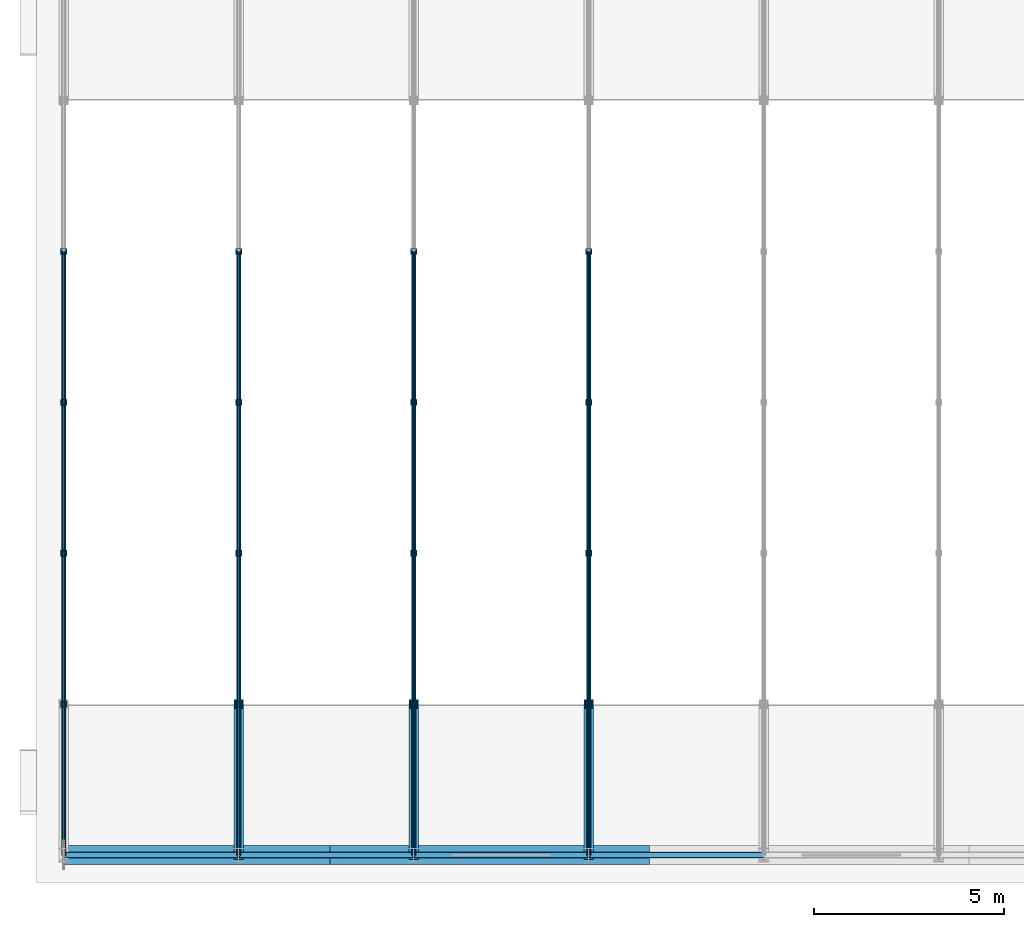
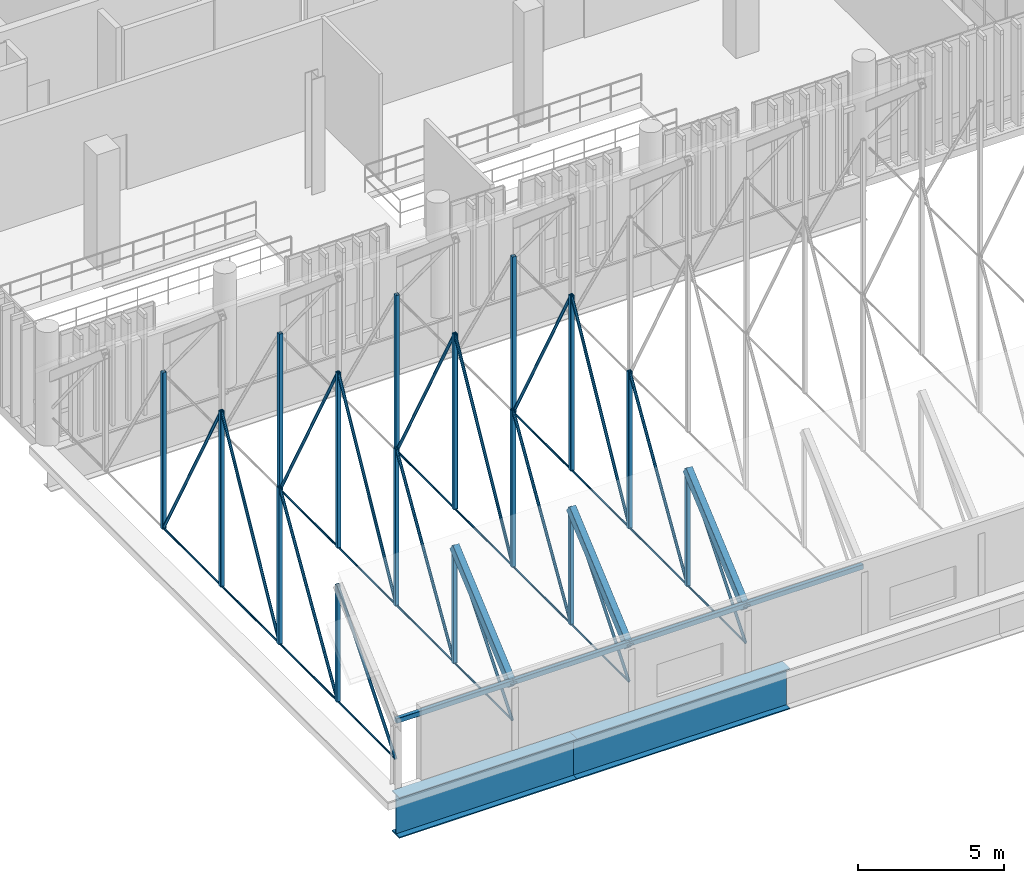
# One storey, part 12 of 109: 52 members, 5 beams.
"""IFC4 building model written with IfcOpenShell, lengths in metres."""

from ifc_helpers import new_model, si_unit, direction, frame, origin_with_axes, origin_2d_with_axis, place, context, subcontext, project, spatial, hollow_rectangle, circle, hollow_circle, i_section, extrude, material, material_profile, profile_set, type_object, element, save


model = new_model("IFC4")

# Units and contexts
model_context = context("Model", 3, precision=1e-05, world=origin_with_axes(), true_north=direction((0.0, 1.0)))
body_context = subcontext(model_context, "Body", "Model", "MODEL_VIEW")
ifc_project = project(units=[si_unit("LENGTHUNIT", "METRE"), si_unit("AREAUNIT", "SQUARE_METRE"), si_unit("VOLUMEUNIT", "CUBIC_METRE"), si_unit("PLANEANGLEUNIT", "RADIAN"), si_unit("MASSUNIT", "GRAM", prefix="KILO"), si_unit("THERMODYNAMICTEMPERATUREUNIT", "KELVIN")], contexts=[model_context])

# Site, building, storey
site_placement = place(None, origin_with_axes())
site = spatial("IfcSite", under=ifc_project, at=site_placement, CompositionType="ELEMENT")
building_placement = place(site_placement, origin_with_axes())
building = spatial("IfcBuilding", under=site, at=building_placement, Name="Montbau Bow Law Courts", CompositionType="ELEMENT")
storey_placement = place(building_placement, frame((0.0, 0.0, 10.8), z_axis=(0.0, 0.0, 1.0), x_axis=(1.0, 0.0, 0.0)))
storey = spatial("IfcBuildingStorey", under=building, at=storey_placement, Name="L02", CompositionType="ELEMENT", Elevation=10.8)

# Beams
ifc_material = material(Name="Steel CSA G40.21 Grade 350WT (350 MPa)", Category="steel")
ifc_material_profile_1 = material_profile(ifc_material, hollow_rectangle(XDim=0.254, YDim=0.356, WallThickness=0.0127, InnerFilletRadius=0.0254, OuterFilletRadius=0.0127, at=origin_2d_with_axis()), Name="HSS356X254X13", Category="Main", Priority=0)
ifc_profile_set_1 = profile_set([ifc_material_profile_1], Name="Steel CSA G40.21 Grade 350WT (350 MPa)")
beam_type_1 = type_object("IfcBeamType", Name="B-ARC-01", PredefinedType="USERDEFINED", material=ifc_profile_set_1)
for number, where, z_axis, x_axis, name in (
    (1, (11.4, 6.8, 13.429), (0.0, 0.758621798, 0.651531249), (-1.0, 0.0, 0.0), "Barrel vault roof truss arch rib V1-007"),
    (2, (16.0, 6.8, 13.429), (0.0, 0.758621798, 0.651531249), (-1.0, 0.0, 0.0), "Barrel vault roof truss arch rib V1-013"),
    (3, (20.6, 6.8, 13.429), (0.0, 0.758621798, 0.651531249), (-1.0, 0.0, 0.0), "Barrel vault roof truss arch rib V1-019"),
):
    element("IfcBeam", number, at=place(None, frame(where, z_axis=z_axis, x_axis=x_axis)), inside=storey, type_object=beam_type_1, Name=name, ObjectType="ARCH_RIB", PredefinedType="USERDEFINED", context=body_context, shape_type="SweptSolid", body=[
        extrude(hollow_rectangle(XDim=0.254, YDim=0.356, WallThickness=0.0127, InnerFilletRadius=0.0254, OuterFilletRadius=0.0127, at=origin_2d_with_axis()), origin_with_axes(), (0.0, 0.0, 1.0), 5.22922),
    ])
ifc_material_profile_2 = material_profile(ifc_material, i_section(OverallWidth=0.5, OverallDepth=1.7, WebThickness=0.02, FlangeThickness=0.045, at=origin_2d_with_axis()), Name="WWF1700X480", Category="Main", Priority=0)
ifc_profile_set_2 = profile_set([ifc_material_profile_2], Name="Steel CSA G40.21 Grade 350WT (350 MPa)")
beam_type_2 = type_object("IfcBeamType", Name="B-TRG-02", PredefinedType="USERDEFINED", material=ifc_profile_set_2)
beam_1_placement = place(None, frame((6.8, 6.8, 9.66), z_axis=(1.0, 0.0, 0.0), x_axis=(0.0, 1.0, 0.0)))
element("IfcBeam", 4, at=beam_1_placement, inside=storey, type_object=beam_type_2, Name="VRG-L02-S0001:bm2_0004", ObjectType="GIRDER", PredefinedType="USERDEFINED", context=body_context, shape_type="SweptSolid", body=[
    extrude(i_section(OverallWidth=0.5, OverallDepth=1.7, WebThickness=0.02, FlangeThickness=0.045, at=origin_2d_with_axis()), origin_with_axes(), (0.0, 0.0, 1.0), 7.0),
])
beam_2_placement = place(None, frame((13.8, 6.8, 9.66), z_axis=(1.0, 0.0, 0.0), x_axis=(0.0, 1.0, 0.0)))
element("IfcBeam", 5, at=beam_2_placement, inside=storey, type_object=beam_type_2, Name="VRG-L02-S0002:bm2_0005", ObjectType="GIRDER", PredefinedType="USERDEFINED", context=body_context, shape_type="SweptSolid", body=[
    extrude(i_section(OverallWidth=0.5, OverallDepth=1.7, WebThickness=0.02, FlangeThickness=0.045, at=origin_2d_with_axis()), origin_with_axes(), (0.0, 0.0, 1.0), 8.4),
])

# Members
ifc_material_profile_3 = material_profile(ifc_material, hollow_rectangle(XDim=0.152, YDim=0.203, WallThickness=0.0095, InnerFilletRadius=0.019, OuterFilletRadius=0.0095, at=origin_2d_with_axis()), Name="HSS203X152X9.5", Category="Main", Priority=0)
ifc_profile_set_3 = profile_set([ifc_material_profile_3], Name="Steel CSA G40.21 Grade 350WT (350 MPa)")
member_type_1 = type_object("IfcMemberType", Name="M-PUR-01", PredefinedType="PURLIN", material=ifc_profile_set_3)
for number, where, z_axis, x_axis, name in (
    (6, (6.8, 6.8, 13.587), (1.0, 0.0, 0.0), (0.0, 1.0, 0.0), "Barrel vault roof truss purlin V1-001"),
    (7, (11.4, 6.8, 13.587), (1.0, 0.0, 0.0), (0.0, 1.0, 0.0), "Barrel vault roof truss purlin V1-008"),
    (8, (16.0, 6.8, 13.587), (1.0, 0.0, 0.0), (0.0, 1.0, 0.0), "Barrel vault roof truss purlin V1-015"),
    (9, (20.6, 6.8, 13.587), (1.0, 0.0, 0.0), (0.0, 1.0, 0.0), "Barrel vault roof truss purlin V1-022"),
):
    element("IfcMember", number, at=place(None, frame(where, z_axis=z_axis, x_axis=x_axis)), inside=storey, type_object=member_type_1, Name=name, PredefinedType="PURLIN", context=body_context, shape_type="SweptSolid", body=[
        extrude(hollow_rectangle(XDim=0.152, YDim=0.203, WallThickness=0.0095, InnerFilletRadius=0.019, OuterFilletRadius=0.0095, at=origin_2d_with_axis()), origin_with_axes(), (0.0, 0.0, 1.0), 4.6),
    ])
ifc_material_profile_4 = material_profile(ifc_material, hollow_rectangle(XDim=0.152, YDim=0.152, WallThickness=0.0095, InnerFilletRadius=0.019, OuterFilletRadius=0.0095, at=origin_2d_with_axis()), Name="HSS152X152X9.5", Category="Main", Priority=0)
ifc_profile_set_4 = profile_set([ifc_material_profile_4], Name="Steel CSA G40.21 Grade 350WT (350 MPa)")
member_type_2 = type_object("IfcMemberType", Name="M-STR-02", PredefinedType="STRUT", material=ifc_profile_set_4)
member_1_placement = place(None, frame((6.8, 10.767, 11.979), z_axis=(0.0, 0.0, 1.0), x_axis=(1.0, 0.0, 0.0)))
element("IfcMember", 10, at=member_1_placement, inside=storey, type_object=member_type_2, Name="Barrel vault roof truss web post V1-01-1", PredefinedType="STRUT", context=body_context, shape_type="SweptSolid", body=[
    extrude(hollow_rectangle(XDim=0.152, YDim=0.152, WallThickness=0.0095, InnerFilletRadius=0.019, OuterFilletRadius=0.0095, at=origin_2d_with_axis()), origin_with_axes(), (0.0, 0.0, 1.0), 4.857),
])
member_2_placement = place(None, frame((6.8, 14.733, 11.979), z_axis=(0.0, 0.0, 1.0), x_axis=(1.0, 0.0, 0.0)))
element("IfcMember", 11, at=member_2_placement, inside=storey, type_object=member_type_2, Name="Barrel vault roof truss web post V1-01-2", PredefinedType="STRUT", context=body_context, shape_type="SweptSolid", body=[
    extrude(hollow_rectangle(XDim=0.152, YDim=0.152, WallThickness=0.0095, InnerFilletRadius=0.019, OuterFilletRadius=0.0095, at=origin_2d_with_axis()), origin_with_axes(), (0.0, 0.0, 1.0), 6.532),
])
member_3_placement = place(None, frame((6.8, 18.7, 11.979), z_axis=(0.0, 0.0, 1.0), x_axis=(1.0, 0.0, 0.0)))
element("IfcMember", 12, at=member_3_placement, inside=storey, type_object=member_type_2, Name="Barrel vault roof truss web post V1-01-3", PredefinedType="STRUT", context=body_context, shape_type="SweptSolid", body=[
    extrude(hollow_rectangle(XDim=0.152, YDim=0.152, WallThickness=0.0095, InnerFilletRadius=0.019, OuterFilletRadius=0.0095, at=origin_2d_with_axis()), origin_with_axes(), (0.0, 0.0, 1.0), 7.306),
])
member_4_placement = place(None, frame((6.8, 22.667, 11.979), z_axis=(0.0, 0.0, 1.0), x_axis=(1.0, 0.0, 0.0)))
element("IfcMember", 13, at=member_4_placement, inside=storey, type_object=member_type_2, Name="Barrel vault roof truss web post V1-01-4", PredefinedType="STRUT", context=body_context, shape_type="SweptSolid", body=[
    extrude(hollow_rectangle(XDim=0.152, YDim=0.152, WallThickness=0.0095, InnerFilletRadius=0.019, OuterFilletRadius=0.0095, at=origin_2d_with_axis()), origin_with_axes(), (0.0, 0.0, 1.0), 6.532),
])
member_5_placement = place(None, frame((11.4, 10.767, 11.979), z_axis=(0.0, 0.0, 1.0), x_axis=(1.0, 0.0, 0.0)))
element("IfcMember", 14, at=member_5_placement, inside=storey, type_object=member_type_2, Name="Barrel vault roof truss web post V1-02-1", PredefinedType="STRUT", context=body_context, shape_type="SweptSolid", body=[
    extrude(hollow_rectangle(XDim=0.152, YDim=0.152, WallThickness=0.0095, InnerFilletRadius=0.019, OuterFilletRadius=0.0095, at=origin_2d_with_axis()), origin_with_axes(), (0.0, 0.0, 1.0), 4.857),
])
member_6_placement = place(None, frame((11.4, 14.733, 11.979), z_axis=(0.0, 0.0, 1.0), x_axis=(1.0, 0.0, 0.0)))
element("IfcMember", 15, at=member_6_placement, inside=storey, type_object=member_type_2, Name="Barrel vault roof truss web post V1-02-2", PredefinedType="STRUT", context=body_context, shape_type="SweptSolid", body=[
    extrude(hollow_rectangle(XDim=0.152, YDim=0.152, WallThickness=0.0095, InnerFilletRadius=0.019, OuterFilletRadius=0.0095, at=origin_2d_with_axis()), origin_with_axes(), (0.0, 0.0, 1.0), 6.532),
])
member_7_placement = place(None, frame((11.4, 18.7, 11.979), z_axis=(0.0, 0.0, 1.0), x_axis=(1.0, 0.0, 0.0)))
element("IfcMember", 16, at=member_7_placement, inside=storey, type_object=member_type_2, Name="Barrel vault roof truss web post V1-02-3", PredefinedType="STRUT", context=body_context, shape_type="SweptSolid", body=[
    extrude(hollow_rectangle(XDim=0.152, YDim=0.152, WallThickness=0.0095, InnerFilletRadius=0.019, OuterFilletRadius=0.0095, at=origin_2d_with_axis()), origin_with_axes(), (0.0, 0.0, 1.0), 7.306),
])
member_8_placement = place(None, frame((11.4, 22.667, 11.979), z_axis=(0.0, 0.0, 1.0), x_axis=(1.0, 0.0, 0.0)))
element("IfcMember", 17, at=member_8_placement, inside=storey, type_object=member_type_2, Name="Barrel vault roof truss web post V1-02-4", PredefinedType="STRUT", context=body_context, shape_type="SweptSolid", body=[
    extrude(hollow_rectangle(XDim=0.152, YDim=0.152, WallThickness=0.0095, InnerFilletRadius=0.019, OuterFilletRadius=0.0095, at=origin_2d_with_axis()), origin_with_axes(), (0.0, 0.0, 1.0), 6.532),
])
member_9_placement = place(None, frame((16.0, 10.767, 11.979), z_axis=(0.0, 0.0, 1.0), x_axis=(1.0, 0.0, 0.0)))
element("IfcMember", 18, at=member_9_placement, inside=storey, type_object=member_type_2, Name="Barrel vault roof truss web post V1-03-1", PredefinedType="STRUT", context=body_context, shape_type="SweptSolid", body=[
    extrude(hollow_rectangle(XDim=0.152, YDim=0.152, WallThickness=0.0095, InnerFilletRadius=0.019, OuterFilletRadius=0.0095, at=origin_2d_with_axis()), origin_with_axes(), (0.0, 0.0, 1.0), 4.857),
])
member_10_placement = place(None, frame((16.0, 14.733, 11.979), z_axis=(0.0, 0.0, 1.0), x_axis=(1.0, 0.0, 0.0)))
element("IfcMember", 19, at=member_10_placement, inside=storey, type_object=member_type_2, Name="Barrel vault roof truss web post V1-03-2", PredefinedType="STRUT", context=body_context, shape_type="SweptSolid", body=[
    extrude(hollow_rectangle(XDim=0.152, YDim=0.152, WallThickness=0.0095, InnerFilletRadius=0.019, OuterFilletRadius=0.0095, at=origin_2d_with_axis()), origin_with_axes(), (0.0, 0.0, 1.0), 6.532),
])
member_11_placement = place(None, frame((16.0, 18.7, 11.979), z_axis=(0.0, 0.0, 1.0), x_axis=(1.0, 0.0, 0.0)))
element("IfcMember", 20, at=member_11_placement, inside=storey, type_object=member_type_2, Name="Barrel vault roof truss web post V1-03-3", PredefinedType="STRUT", context=body_context, shape_type="SweptSolid", body=[
    extrude(hollow_rectangle(XDim=0.152, YDim=0.152, WallThickness=0.0095, InnerFilletRadius=0.019, OuterFilletRadius=0.0095, at=origin_2d_with_axis()), origin_with_axes(), (0.0, 0.0, 1.0), 7.306),
])
member_12_placement = place(None, frame((16.0, 22.667, 11.979), z_axis=(0.0, 0.0, 1.0), x_axis=(1.0, 0.0, 0.0)))
element("IfcMember", 21, at=member_12_placement, inside=storey, type_object=member_type_2, Name="Barrel vault roof truss web post V1-03-4", PredefinedType="STRUT", context=body_context, shape_type="SweptSolid", body=[
    extrude(hollow_rectangle(XDim=0.152, YDim=0.152, WallThickness=0.0095, InnerFilletRadius=0.019, OuterFilletRadius=0.0095, at=origin_2d_with_axis()), origin_with_axes(), (0.0, 0.0, 1.0), 6.532),
])
member_13_placement = place(None, frame((20.6, 10.767, 11.979), z_axis=(0.0, 0.0, 1.0), x_axis=(1.0, 0.0, 0.0)))
element("IfcMember", 22, at=member_13_placement, inside=storey, type_object=member_type_2, Name="Barrel vault roof truss web post V1-04-1", PredefinedType="STRUT", context=body_context, shape_type="SweptSolid", body=[
    extrude(hollow_rectangle(XDim=0.152, YDim=0.152, WallThickness=0.0095, InnerFilletRadius=0.019, OuterFilletRadius=0.0095, at=origin_2d_with_axis()), origin_with_axes(), (0.0, 0.0, 1.0), 4.857),
])
member_14_placement = place(None, frame((20.6, 14.733, 11.979), z_axis=(0.0, 0.0, 1.0), x_axis=(1.0, 0.0, 0.0)))
element("IfcMember", 23, at=member_14_placement, inside=storey, type_object=member_type_2, Name="Barrel vault roof truss web post V1-04-2", PredefinedType="STRUT", context=body_context, shape_type="SweptSolid", body=[
    extrude(hollow_rectangle(XDim=0.152, YDim=0.152, WallThickness=0.0095, InnerFilletRadius=0.019, OuterFilletRadius=0.0095, at=origin_2d_with_axis()), origin_with_axes(), (0.0, 0.0, 1.0), 6.532),
])
member_15_placement = place(None, frame((20.6, 18.7, 11.979), z_axis=(0.0, 0.0, 1.0), x_axis=(1.0, 0.0, 0.0)))
element("IfcMember", 24, at=member_15_placement, inside=storey, type_object=member_type_2, Name="Barrel vault roof truss web post V1-04-3", PredefinedType="STRUT", context=body_context, shape_type="SweptSolid", body=[
    extrude(hollow_rectangle(XDim=0.152, YDim=0.152, WallThickness=0.0095, InnerFilletRadius=0.019, OuterFilletRadius=0.0095, at=origin_2d_with_axis()), origin_with_axes(), (0.0, 0.0, 1.0), 7.306),
])
member_16_placement = place(None, frame((20.6, 22.667, 11.979), z_axis=(0.0, 0.0, 1.0), x_axis=(1.0, 0.0, 0.0)))
element("IfcMember", 25, at=member_16_placement, inside=storey, type_object=member_type_2, Name="Barrel vault roof truss web post V1-04-4", PredefinedType="STRUT", context=body_context, shape_type="SweptSolid", body=[
    extrude(hollow_rectangle(XDim=0.152, YDim=0.152, WallThickness=0.0095, InnerFilletRadius=0.019, OuterFilletRadius=0.0095, at=origin_2d_with_axis()), origin_with_axes(), (0.0, 0.0, 1.0), 6.532),
])
ifc_material_profile_5 = material_profile(ifc_material, hollow_circle(Radius=0.057, WallThickness=0.008, at=origin_2d_with_axis()), Name="HSS114X8.0", Category="Main", Priority=0)
ifc_profile_set_5 = profile_set([ifc_material_profile_5], Name="Steel CSA G40.21 Grade 350WT (350 MPa)")
member_type_3 = type_object("IfcMemberType", Name="M-STR-03", PredefinedType="STRUT", material=ifc_profile_set_5)
member_17_placement = place(None, frame((6.8, 6.8, 11.979), z_axis=(0.0, 0.632577617, 0.774496971), x_axis=(-1.0, 0.0, 0.0)))
element("IfcMember", 26, at=member_17_placement, inside=storey, type_object=member_type_3, Name="Barrel vault roof truss web diagonal V1-01-1", PredefinedType="STRUT", context=body_context, shape_type="SweptSolid", body=[
    extrude(hollow_circle(Radius=0.057, WallThickness=0.008, at=origin_2d_with_axis()), origin_with_axes(), (0.0, 0.0, 1.0), 6.271167),
])
member_18_placement = place(None, frame((6.8, 10.767, 11.979), z_axis=(0.0, 0.518991793, 0.854779222), x_axis=(-1.0, 0.0, 0.0)))
element("IfcMember", 27, at=member_18_placement, inside=storey, type_object=member_type_3, Name="Barrel vault roof truss web diagonal V1-01-2", PredefinedType="STRUT", context=body_context, shape_type="SweptSolid", body=[
    extrude(hollow_circle(Radius=0.057, WallThickness=0.008, at=origin_2d_with_axis()), origin_with_axes(), (0.0, 0.0, 1.0), 7.641739),
])
for number, where, z_axis, x_axis, name in (
    (28, (6.8, 14.733, 11.979), (0.0, 0.47717415, 0.878808757), (-1.0, 0.0, 0.0), "Barrel vault roof truss web diagonal V1-01-3"),
    (29, (6.8, 18.7, 19.285), (0.0, 0.47717415, -0.878808757), (-1.0, 0.0, 0.0), "Barrel vault roof truss web diagonal V1-01-4"),
):
    element("IfcMember", number, at=place(None, frame(where, z_axis=z_axis, x_axis=x_axis)), inside=storey, type_object=member_type_3, Name=name, PredefinedType="STRUT", context=body_context, shape_type="SweptSolid", body=[
        extrude(hollow_circle(Radius=0.057, WallThickness=0.008, at=origin_2d_with_axis()), origin_with_axes(), (0.0, 0.0, 1.0), 8.313527),
    ])
member_19_placement = place(None, frame((11.4, 6.8, 11.979), z_axis=(0.0, 0.632577617, 0.774496971), x_axis=(-1.0, 0.0, 0.0)))
element("IfcMember", 30, at=member_19_placement, inside=storey, type_object=member_type_3, Name="Barrel vault roof truss web diagonal V1-02-1", PredefinedType="STRUT", context=body_context, shape_type="SweptSolid", body=[
    extrude(hollow_circle(Radius=0.057, WallThickness=0.008, at=origin_2d_with_axis()), origin_with_axes(), (0.0, 0.0, 1.0), 6.271167),
])
member_20_placement = place(None, frame((11.4, 10.767, 11.979), z_axis=(0.0, 0.518991793, 0.854779222), x_axis=(-1.0, 0.0, 0.0)))
element("IfcMember", 31, at=member_20_placement, inside=storey, type_object=member_type_3, Name="Barrel vault roof truss web diagonal V1-02-2", PredefinedType="STRUT", context=body_context, shape_type="SweptSolid", body=[
    extrude(hollow_circle(Radius=0.057, WallThickness=0.008, at=origin_2d_with_axis()), origin_with_axes(), (0.0, 0.0, 1.0), 7.641739),
])
for number, where, z_axis, x_axis, name in (
    (32, (11.4, 14.733, 11.979), (0.0, 0.47717415, 0.878808757), (-1.0, 0.0, 0.0), "Barrel vault roof truss web diagonal V1-02-3"),
    (33, (11.4, 18.7, 19.285), (0.0, 0.47717415, -0.878808757), (-1.0, 0.0, 0.0), "Barrel vault roof truss web diagonal V1-02-4"),
):
    element("IfcMember", number, at=place(None, frame(where, z_axis=z_axis, x_axis=x_axis)), inside=storey, type_object=member_type_3, Name=name, PredefinedType="STRUT", context=body_context, shape_type="SweptSolid", body=[
        extrude(hollow_circle(Radius=0.057, WallThickness=0.008, at=origin_2d_with_axis()), origin_with_axes(), (0.0, 0.0, 1.0), 8.313527),
    ])
member_21_placement = place(None, frame((16.0, 6.8, 11.979), z_axis=(0.0, 0.632577617, 0.774496971), x_axis=(-1.0, 0.0, 0.0)))
element("IfcMember", 34, at=member_21_placement, inside=storey, type_object=member_type_3, Name="Barrel vault roof truss web diagonal V1-03-1", PredefinedType="STRUT", context=body_context, shape_type="SweptSolid", body=[
    extrude(hollow_circle(Radius=0.057, WallThickness=0.008, at=origin_2d_with_axis()), origin_with_axes(), (0.0, 0.0, 1.0), 6.271167),
])
member_22_placement = place(None, frame((16.0, 10.767, 11.979), z_axis=(0.0, 0.518991793, 0.854779222), x_axis=(-1.0, 0.0, 0.0)))
element("IfcMember", 35, at=member_22_placement, inside=storey, type_object=member_type_3, Name="Barrel vault roof truss web diagonal V1-03-2", PredefinedType="STRUT", context=body_context, shape_type="SweptSolid", body=[
    extrude(hollow_circle(Radius=0.057, WallThickness=0.008, at=origin_2d_with_axis()), origin_with_axes(), (0.0, 0.0, 1.0), 7.641739),
])
for number, where, z_axis, x_axis, name in (
    (36, (16.0, 14.733, 11.979), (0.0, 0.47717415, 0.878808757), (-1.0, 0.0, 0.0), "Barrel vault roof truss web diagonal V1-03-3"),
    (37, (16.0, 18.7, 19.285), (0.0, 0.47717415, -0.878808757), (-1.0, 0.0, 0.0), "Barrel vault roof truss web diagonal V1-03-4"),
):
    element("IfcMember", number, at=place(None, frame(where, z_axis=z_axis, x_axis=x_axis)), inside=storey, type_object=member_type_3, Name=name, PredefinedType="STRUT", context=body_context, shape_type="SweptSolid", body=[
        extrude(hollow_circle(Radius=0.057, WallThickness=0.008, at=origin_2d_with_axis()), origin_with_axes(), (0.0, 0.0, 1.0), 8.313527),
    ])
member_23_placement = place(None, frame((20.6, 6.8, 11.979), z_axis=(0.0, 0.632577617, 0.774496971), x_axis=(-1.0, 0.0, 0.0)))
element("IfcMember", 38, at=member_23_placement, inside=storey, type_object=member_type_3, Name="Barrel vault roof truss web diagonal V1-04-1", PredefinedType="STRUT", context=body_context, shape_type="SweptSolid", body=[
    extrude(hollow_circle(Radius=0.057, WallThickness=0.008, at=origin_2d_with_axis()), origin_with_axes(), (0.0, 0.0, 1.0), 6.271167),
])
member_24_placement = place(None, frame((20.6, 10.767, 11.979), z_axis=(0.0, 0.518991793, 0.854779222), x_axis=(-1.0, 0.0, 0.0)))
element("IfcMember", 39, at=member_24_placement, inside=storey, type_object=member_type_3, Name="Barrel vault roof truss web diagonal V1-04-2", PredefinedType="STRUT", context=body_context, shape_type="SweptSolid", body=[
    extrude(hollow_circle(Radius=0.057, WallThickness=0.008, at=origin_2d_with_axis()), origin_with_axes(), (0.0, 0.0, 1.0), 7.641739),
])
for number, where, z_axis, x_axis, name in (
    (40, (20.6, 14.733, 11.979), (0.0, 0.47717415, 0.878808757), (-1.0, 0.0, 0.0), "Barrel vault roof truss web diagonal V1-04-3"),
    (41, (20.6, 18.7, 19.285), (0.0, 0.47717415, -0.878808757), (-1.0, 0.0, 0.0), "Barrel vault roof truss web diagonal V1-04-4"),
):
    element("IfcMember", number, at=place(None, frame(where, z_axis=z_axis, x_axis=x_axis)), inside=storey, type_object=member_type_3, Name=name, PredefinedType="STRUT", context=body_context, shape_type="SweptSolid", body=[
        extrude(hollow_circle(Radius=0.057, WallThickness=0.008, at=origin_2d_with_axis()), origin_with_axes(), (0.0, 0.0, 1.0), 8.313527),
    ])
ifc_material_profile_6 = material_profile(ifc_material, circle(Radius=0.038, at=origin_2d_with_axis()), Name="ROD76", Category="Main", Priority=0)
ifc_profile_set_6 = profile_set([ifc_material_profile_6], Name="Steel CSA G40.21 Grade 350WT (350 MPa)")
member_type_4 = type_object("IfcMemberType", Name="M-TIE-01", PredefinedType="USERDEFINED", material=ifc_profile_set_6)
member_25_placement = place(None, frame((6.8, 6.8, 11.979), z_axis=(0.0, 1.0, 0.0), x_axis=(-1.0, 0.0, 0.0)))
element("IfcMember", 42, at=member_25_placement, inside=storey, type_object=member_type_4, Name="Barrel vault roof truss tie V1-001", ObjectType="TIEBAR", PredefinedType="USERDEFINED", context=body_context, shape_type="SweptSolid", body=[
    extrude(circle(Radius=0.038, at=origin_2d_with_axis()), origin_with_axes(), (0.0, 0.0, 1.0), 3.967),
])
member_26_placement = place(None, frame((6.8, 10.767, 11.979), z_axis=(0.0, 1.0, 0.0), x_axis=(-1.0, 0.0, 0.0)))
element("IfcMember", 43, at=member_26_placement, inside=storey, type_object=member_type_4, Name="Barrel vault roof truss tie V1-002", ObjectType="TIEBAR", PredefinedType="USERDEFINED", context=body_context, shape_type="SweptSolid", body=[
    extrude(circle(Radius=0.038, at=origin_2d_with_axis()), origin_with_axes(), (0.0, 0.0, 1.0), 3.966),
])
for number, where, z_axis, x_axis, name in (
    (44, (6.8, 14.733, 11.979), (0.0, 1.0, 0.0), (-1.0, 0.0, 0.0), "Barrel vault roof truss tie V1-003"),
    (45, (6.8, 18.7, 11.979), (0.0, 1.0, 0.0), (-1.0, 0.0, 0.0), "Barrel vault roof truss tie V1-004"),
    (46, (11.4, 6.8, 11.979), (0.0, 1.0, 0.0), (-1.0, 0.0, 0.0), "Barrel vault roof truss tie V1-007"),
):
    element("IfcMember", number, at=place(None, frame(where, z_axis=z_axis, x_axis=x_axis)), inside=storey, type_object=member_type_4, Name=name, ObjectType="TIEBAR", PredefinedType="USERDEFINED", context=body_context, shape_type="SweptSolid", body=[
        extrude(circle(Radius=0.038, at=origin_2d_with_axis()), origin_with_axes(), (0.0, 0.0, 1.0), 3.967),
    ])
member_27_placement = place(None, frame((11.4, 10.767, 11.979), z_axis=(0.0, 1.0, 0.0), x_axis=(-1.0, 0.0, 0.0)))
element("IfcMember", 47, at=member_27_placement, inside=storey, type_object=member_type_4, Name="Barrel vault roof truss tie V1-008", ObjectType="TIEBAR", PredefinedType="USERDEFINED", context=body_context, shape_type="SweptSolid", body=[
    extrude(circle(Radius=0.038, at=origin_2d_with_axis()), origin_with_axes(), (0.0, 0.0, 1.0), 3.966),
])
for number, where, z_axis, x_axis, name in (
    (48, (11.4, 14.733, 11.979), (0.0, 1.0, 0.0), (-1.0, 0.0, 0.0), "Barrel vault roof truss tie V1-009"),
    (49, (11.4, 18.7, 11.979), (0.0, 1.0, 0.0), (-1.0, 0.0, 0.0), "Barrel vault roof truss tie V1-010"),
    (50, (16.0, 6.8, 11.979), (0.0, 1.0, 0.0), (-1.0, 0.0, 0.0), "Barrel vault roof truss tie V1-013"),
):
    element("IfcMember", number, at=place(None, frame(where, z_axis=z_axis, x_axis=x_axis)), inside=storey, type_object=member_type_4, Name=name, ObjectType="TIEBAR", PredefinedType="USERDEFINED", context=body_context, shape_type="SweptSolid", body=[
        extrude(circle(Radius=0.038, at=origin_2d_with_axis()), origin_with_axes(), (0.0, 0.0, 1.0), 3.967),
    ])
member_28_placement = place(None, frame((16.0, 10.767, 11.979), z_axis=(0.0, 1.0, 0.0), x_axis=(-1.0, 0.0, 0.0)))
element("IfcMember", 51, at=member_28_placement, inside=storey, type_object=member_type_4, Name="Barrel vault roof truss tie V1-014", ObjectType="TIEBAR", PredefinedType="USERDEFINED", context=body_context, shape_type="SweptSolid", body=[
    extrude(circle(Radius=0.038, at=origin_2d_with_axis()), origin_with_axes(), (0.0, 0.0, 1.0), 3.966),
])
for number, where, z_axis, x_axis, name in (
    (52, (16.0, 14.733, 11.979), (0.0, 1.0, 0.0), (-1.0, 0.0, 0.0), "Barrel vault roof truss tie V1-015"),
    (53, (16.0, 18.7, 11.979), (0.0, 1.0, 0.0), (-1.0, 0.0, 0.0), "Barrel vault roof truss tie V1-016"),
    (54, (20.6, 6.8, 11.979), (0.0, 1.0, 0.0), (-1.0, 0.0, 0.0), "Barrel vault roof truss tie V1-019"),
):
    element("IfcMember", number, at=place(None, frame(where, z_axis=z_axis, x_axis=x_axis)), inside=storey, type_object=member_type_4, Name=name, ObjectType="TIEBAR", PredefinedType="USERDEFINED", context=body_context, shape_type="SweptSolid", body=[
        extrude(circle(Radius=0.038, at=origin_2d_with_axis()), origin_with_axes(), (0.0, 0.0, 1.0), 3.967),
    ])
member_29_placement = place(None, frame((20.6, 10.767, 11.979), z_axis=(0.0, 1.0, 0.0), x_axis=(-1.0, 0.0, 0.0)))
element("IfcMember", 55, at=member_29_placement, inside=storey, type_object=member_type_4, Name="Barrel vault roof truss tie V1-020", ObjectType="TIEBAR", PredefinedType="USERDEFINED", context=body_context, shape_type="SweptSolid", body=[
    extrude(circle(Radius=0.038, at=origin_2d_with_axis()), origin_with_axes(), (0.0, 0.0, 1.0), 3.966),
])
for number, where, z_axis, x_axis, name in (
    (56, (20.6, 14.733, 11.979), (0.0, 1.0, 0.0), (-1.0, 0.0, 0.0), "Barrel vault roof truss tie V1-021"),
    (57, (20.6, 18.7, 11.979), (0.0, 1.0, 0.0), (-1.0, 0.0, 0.0), "Barrel vault roof truss tie V1-022"),
):
    element("IfcMember", number, at=place(None, frame(where, z_axis=z_axis, x_axis=x_axis)), inside=storey, type_object=member_type_4, Name=name, ObjectType="TIEBAR", PredefinedType="USERDEFINED", context=body_context, shape_type="SweptSolid", body=[
        extrude(circle(Radius=0.038, at=origin_2d_with_axis()), origin_with_axes(), (0.0, 0.0, 1.0), 3.967),
    ])

save(model, "model.ifc")
